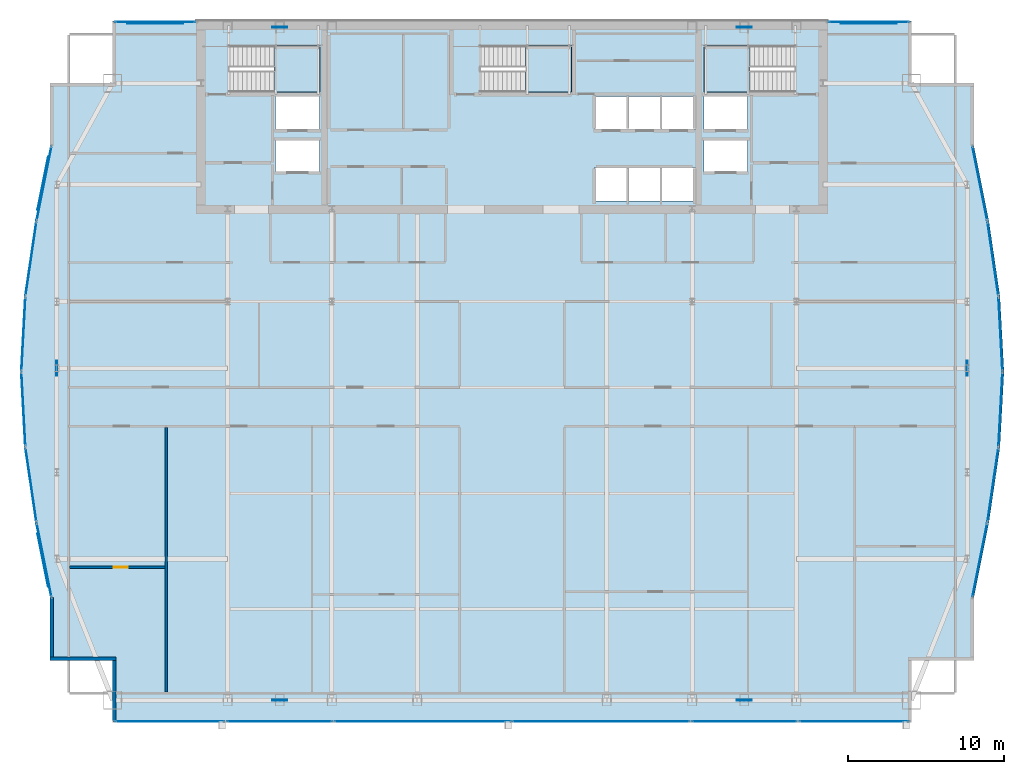
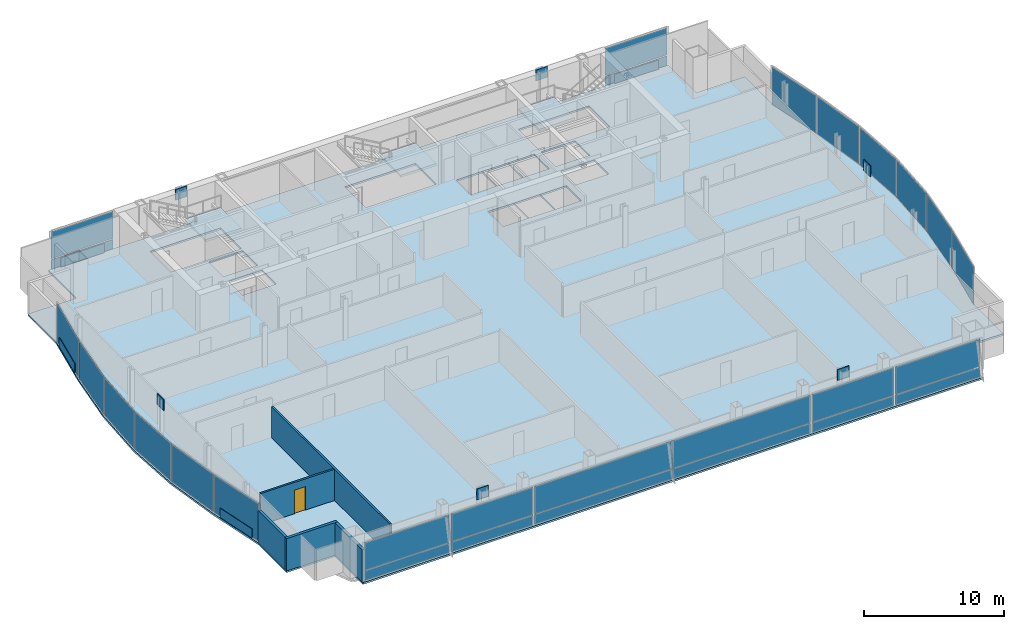
# One storey, part 24 of 30: 38 plates, 5 walls, 4 slabs, 1 door, 1 opening, 22 elements without a shape of their own.
"""IFC4 building model written with IfcOpenShell, lengths in metres."""

import ifcopenshell
import ifcopenshell.guid

model = None  # the IFC model being written
_history = None  # IfcOwnerHistory: only IFC2X3 demands one
_inside = {}  # id of a spatial element -> (the spatial element, [elements in it])
_under = {}  # id of a project, library or spatial element -> (it, [spatial elements below it])
_declared = {}  # id of a project -> (the project, [libraries it declares])
_typed = {}  # id of a type object -> (the type object, [elements of that type])
_made_of = {}  # id of a material, layer set ... -> (it, [elements and type objects made of it])


def new_model(schema):
    """Start an empty IFC model of exactly this schema.

    Asked for "IFC4X3", IfcOpenShell would pick the latest addendum, in which some entities
    have other attributes; the version numbers below select the first issue.
    IFC2X3 requires an IfcOwnerHistory on every rooted entity: one is made here for all.
    """
    global model, _history
    if schema == "IFC4X3":
        model = ifcopenshell.file(schema_version=(4, 3, 0, 0))
    else:
        model = ifcopenshell.file(schema=schema)
    _inside.clear()
    _under.clear()
    _declared.clear()
    _typed.clear()
    _made_of.clear()
    _history = None
    if model.schema == "IFC2X3":
        org = make("IfcOrganization", Name="unknown")
        user = make(
            "IfcPersonAndOrganization",
            ThePerson=make("IfcPerson", FamilyName="unknown"),
            TheOrganization=org,
        )
        app = make(
            "IfcApplication",
            ApplicationDeveloper=org,
            Version="unknown",
            ApplicationFullName="unknown",
            ApplicationIdentifier="unknown",
        )
        _history = make(
            "IfcOwnerHistory",
            OwningUser=user,
            OwningApplication=app,
            ChangeAction="ADDED",
            CreationDate=0,
        )
    return model


def make(cls, **values):
    """One entity of the class cls with the attributes given. An attribute that is None is left unset."""
    return model.create_entity(
        cls, **{name: value for name, value in values.items() if value is not None}
    )


def rooted(cls, **values):
    """An entity with a GlobalId (a new one), such as an element, a storey or a relation."""
    return make(cls, GlobalId=ifcopenshell.guid.new(), OwnerHistory=_history, **values)


def si_unit(unit_type, name, prefix=None):
    """IfcSIUnit, for example si_unit("LENGTHUNIT", "METRE", prefix="MILLI")."""
    return make("IfcSIUnit", UnitType=unit_type, Prefix=prefix, Name=name)


def assignment(units):
    """IfcUnitAssignment: the units of a project."""
    return None if units is None else make("IfcUnitAssignment", Units=units)


def point(xyz):
    """IfcCartesianPoint."""
    return None if xyz is None else make("IfcCartesianPoint", Coordinates=xyz)


def direction(xyz):
    """IfcDirection."""
    return None if xyz is None else make("IfcDirection", DirectionRatios=xyz)


def frame(location, z_axis=None, x_axis=None):
    """IfcAxis2Placement3D, a coordinate frame: its origin and axes. An axis left out is left unset."""
    return make(
        "IfcAxis2Placement3D",
        Location=point(location),
        Axis=direction(z_axis),
        RefDirection=direction(x_axis),
    )


def frame_2d(location, x_axis=None):
    """IfcAxis2Placement2D, a coordinate frame in the plane: its origin and x axis."""
    return make(
        "IfcAxis2Placement2D", Location=point(location), RefDirection=direction(x_axis)
    )


def origin():
    """The frame at (0, 0, 0) with its axes left unset."""
    return frame((0.0, 0.0, 0.0))


def origin_2d():
    """The frame at (0, 0) in the plane with its x axis left unset."""
    return frame_2d((0.0, 0.0))


def place(relative_to, where):
    """IfcLocalPlacement: puts the frame where relative to a parent placement (None: the world)."""
    return make(
        "IfcLocalPlacement", PlacementRelTo=relative_to, RelativePlacement=where
    )


def context(
    kind, dimensions, precision=None, world=None, true_north=None, identifier=None
):
    """IfcGeometricRepresentationContext, for example the 3D "Model" context."""
    return make(
        "IfcGeometricRepresentationContext",
        ContextIdentifier=identifier,
        ContextType=kind,
        CoordinateSpaceDimension=dimensions,
        Precision=precision,
        WorldCoordinateSystem=world,
        TrueNorth=true_north,
    )


def subcontext(parent, identifier, kind, view, scale=None):
    """IfcGeometricRepresentationSubContext, for example "Body" below "Model"."""
    return make(
        "IfcGeometricRepresentationSubContext",
        ContextIdentifier=identifier,
        ContextType=kind,
        ParentContext=parent,
        TargetScale=scale,
        TargetView=view,
    )


def project(units=None, contexts=None):
    """IfcProject with its units and contexts."""
    return rooted(
        "IfcProject",
        Name="project",
        RepresentationContexts=contexts,
        UnitsInContext=assignment(units),
    )


def spatial(cls, under=None, at=None, **own):
    """A site, building, storey or space (cls), placed at a placement, below another one or the project."""
    s = rooted(cls, ObjectPlacement=at, **own)
    if under is not None:
        _under.setdefault(under.id(), (under, []))[1].append(s)
    return s


def polyline(points):
    """IfcPolyline through the points."""
    return make("IfcPolyline", Points=[point(p) for p in points])


def profile(cls, at=None, kind="AREA", **sizes):
    """A parametric profile (cls). Its sizes go by their IFC names, for example OverallWidth=200.0."""
    return make(cls, ProfileType=kind, Position=at, **sizes)


def rectangle(**sizes):
    """IfcRectangleProfileDef."""
    return profile("IfcRectangleProfileDef", **sizes)


def outline(outer, holes=None, kind="AREA"):
    """IfcArbitraryClosedProfileDef: a profile drawn as a closed curve; with holes, ...WithVoids."""
    if holes is None:
        return make("IfcArbitraryClosedProfileDef", ProfileType=kind, OuterCurve=outer)
    return make(
        "IfcArbitraryProfileDefWithVoids",
        ProfileType=kind,
        OuterCurve=outer,
        InnerCurves=holes,
    )


def extrude(swept, where, along, depth):
    """IfcExtrudedAreaSolid: the profile swept, set in the frame where, extruded along a direction by depth."""
    return make(
        "IfcExtrudedAreaSolid",
        SweptArea=swept,
        Position=where,
        ExtrudedDirection=direction(along),
        Depth=depth,
    )


def shape(context_of_items, identifier, shape_type, items):
    """IfcShapeRepresentation: the items that make up one representation, for example the "Body"."""
    return make(
        "IfcShapeRepresentation",
        ContextOfItems=context_of_items,
        RepresentationIdentifier=identifier,
        RepresentationType=shape_type,
        Items=items,
    )


def material(Name=None, Category=None):
    """IfcMaterial."""
    return make("IfcMaterial", Name=Name, Category=Category)


def layer(
    of_material, thickness, ventilated=None, Name=None, Category=None, Priority=None
):
    """IfcMaterialLayer: one layer of a wall or slab, of a material (None: an air gap)."""
    return make(
        "IfcMaterialLayer",
        Material=of_material,
        LayerThickness=thickness,
        IsVentilated=ventilated,
        Name=Name,
        Category=Category,
        Priority=Priority,
    )


def layer_set(layers, Name=None):
    """IfcMaterialLayerSet."""
    return make("IfcMaterialLayerSet", MaterialLayers=layers, LayerSetName=Name)


def made_of(thing, what):
    """Note that an element or type object is made of a material, layer set ...; save() writes the relation."""
    if what is not None:
        _made_of.setdefault(what.id(), (what, []))[1].append(thing)
    return thing


def type_object(cls, material=None, **own):
    """A type object (cls), such as IfcWallType, which elements share."""
    return made_of(rooted(cls, **own), material)


def element(
    cls,
    number,
    at=None,
    inside=None,
    cuts=None,
    type_object=None,
    material=None,
    context=None,
    identifier="Body",
    shape_type=None,
    held_by="IfcProductDefinitionShape",
    body=None,
    shapes=None,
    **own,
):
    """One element of the class cls, such as IfcWall. Its Tag is "e" and its number.

    at: its placement. inside: the storey or other place that contains it. cuts: it is an
    opening in that element (IfcRelVoidsElement). A single representation is given by context,
    identifier, shape_type and body (its items); several are given by shapes. held_by: the class
    of the entity that holds the representations. save() writes the other relations.
    """
    e = rooted(cls, Tag="e%d" % number, ObjectPlacement=at, **own)
    if body is not None:
        shapes = [shape(context, identifier, shape_type, body)]
    if shapes is not None:
        e.Representation = make(held_by, Representations=shapes)
    if inside is not None:
        _inside.setdefault(inside.id(), (inside, []))[1].append(e)
    if cuts is not None:
        rooted(
            "IfcRelVoidsElement", RelatingBuildingElement=cuts, RelatedOpeningElement=e
        )
    if type_object is not None:
        _typed.setdefault(type_object.id(), (type_object, []))[1].append(e)
    return made_of(e, material)


def fill(opening, filler):
    """IfcRelFillsElement: the door or window that sits in an opening."""
    return rooted(
        "IfcRelFillsElement",
        RelatingOpeningElement=opening,
        RelatedBuildingElement=filler,
    )


def aggregate(whole, parts):
    """IfcRelAggregates: a whole, such as a stair, and the parts it consists of."""
    return rooted("IfcRelAggregates", RelatingObject=whole, RelatedObjects=parts)


def save(model, path):
    """Write the relations noted so far, then the file.

    IfcRelAggregates (storeys below a building ...), IfcRelContainedInSpatialStructure (elements
    in a storey), IfcRelDefinesByType, IfcRelAssociatesMaterial and IfcRelDeclares: one each for
    every whole, place, type object, material and project.
    """
    for whole, parts in _under.values():
        aggregate(whole, parts)
    for where, things in _inside.values():
        rooted(
            "IfcRelContainedInSpatialStructure",
            RelatedElements=things,
            RelatingStructure=where,
        )
    for kind, things in _typed.values():
        rooted("IfcRelDefinesByType", RelatedObjects=things, RelatingType=kind)
    for what, things in _made_of.values():
        rooted("IfcRelAssociatesMaterial", RelatedObjects=things, RelatingMaterial=what)
    for by, libraries in _declared.values():
        rooted("IfcRelDeclares", RelatingContext=by, RelatedDefinitions=libraries)
    model.write(path)


model = new_model("IFC4")

# Units and contexts
model_context = context("Model", 3, precision=1e-05, world=origin(), true_north=direction((0.0, 1.0)))
body_context = subcontext(model_context, "Body", "Model", "MODEL_VIEW")
ifc_project = project(units=[si_unit("LENGTHUNIT", "METRE"), si_unit("AREAUNIT", "SQUARE_METRE"), si_unit("VOLUMEUNIT", "CUBIC_METRE"), si_unit("PLANEANGLEUNIT", "RADIAN"), si_unit("MASSUNIT", "GRAM", prefix="KILO")], contexts=[model_context])

# Site, building, storey
site_placement = place(None, origin())
site = spatial("IfcSite", under=ifc_project, at=site_placement, CompositionType="ELEMENT")
building_placement = place(site_placement, origin())
building = spatial("IfcBuilding", under=site, at=building_placement, Name="Khoronbel Lancet Exchange", CompositionType="ELEMENT")
storey_placement = place(building_placement, frame((0.0, 0.0, 206.60009765625)))
storey = spatial("IfcBuildingStorey", under=building, at=storey_placement, Name="L52", CompositionType="ELEMENT", Elevation=206.60009765625)

# Curtain wall, plate
ifc_material_1 = material(Name="Low-E Solar Control Insulating Glass", Category="glass")
curtain_wall_type_1 = type_object("IfcCurtainWallType", Name="CW-4", PredefinedType="NOTDEFINED", material=ifc_material_1)
curtain_wall_1_placement = place(storey_placement, origin())
curtain_wall_1 = element("IfcCurtainWall", 1, at=curtain_wall_1_placement, inside=storey, type_object=curtain_wall_type_1, Name="Unitised curtain wall CW-L52-E04", PredefinedType="NOTDEFINED")
ifc_material_2 = material(Name="Bronze-Anodised Aluminium 6063-T6", Category="aluminium")
ifc_layer_1 = layer(ifc_material_2, 0.050048828125, Name="Bronze-Anodised Aluminium 6063-T6")
ifc_layer_set_1 = layer_set([ifc_layer_1], Name="Bronze-Anodised Aluminium 6063-T6")
plate_type_1 = type_object("IfcPlateType", Name="PLT-CSP1", PredefinedType="SHEET", material=ifc_layer_set_1)
plate_1_placement = place(storey_placement, frame((6.3955078125, 19.116943359375, 0.0498046875), z_axis=(0.0, 0.0, 1.0), x_axis=(-0.196747214001, 0.980454248694, 0.0)))
plate_1 = element("IfcPlate", 2, at=plate_1_placement, type_object=plate_type_1, Name="Insulated bronze spandrel cassette CW-L52-E04", PredefinedType="SHEET", context=body_context, shape_type="SweptSolid", body=[
    extrude(rectangle(XDim=3.455322265625, YDim=0.050048828125, at=origin_2d()), origin(), (0.0, 0.0, 1.0), 0.800048828125),
])

curtain_wall_2_placement = place(storey_placement, origin())
curtain_wall_2 = element("IfcCurtainWall", 3, at=curtain_wall_2_placement, inside=storey, type_object=curtain_wall_type_1, Name="Unitised curtain wall CW-L52-E05", PredefinedType="NOTDEFINED")
plate_2_placement = place(storey_placement, frame((5.6142578125, 23.962158203125, 0.0849609375), z_axis=(0.0, 0.0, 1.0), x_axis=(-0.145362990476, 0.989378391213, 0.0)))
plate_2 = element("IfcPlate", 4, at=plate_2_placement, type_object=plate_type_1, Name="CW4 panel 1.1", PredefinedType="CURTAIN_PANEL", context=body_context, shape_type="SweptSolid", body=[
    extrude(rectangle(XDim=4.728759765625, YDim=0.0380859375, at=origin_2d()), origin(), (0.0, 0.0, 1.0), 3.27001953125),
])
aggregate(curtain_wall_2, [plate_2])

curtain_wall_3_placement = place(storey_placement, origin())
curtain_wall_3 = element("IfcCurtainWall", 5, at=curtain_wall_3_placement, inside=storey, type_object=curtain_wall_type_1, Name="Unitised curtain wall CW-L52-E06", PredefinedType="NOTDEFINED")
plate_3_placement = place(storey_placement, frame((5.1298828125, 28.787841796875, 0.0849609375), z_axis=(0.0, 0.0, 1.0), x_axis=(-0.053691899007, 0.998557549659, 0.0)))
plate_3 = element("IfcPlate", 6, at=plate_3_placement, type_object=plate_type_1, Name="CW4 panel 1.1", PredefinedType="CURTAIN_PANEL", context=body_context, shape_type="SweptSolid", body=[
    extrude(rectangle(XDim=4.68115234375, YDim=0.0380859375, at=origin_2d()), origin(), (0.0, 0.0, 1.0), 3.27001953125),
])
aggregate(curtain_wall_3, [plate_3])

curtain_wall_4_placement = place(storey_placement, origin())
curtain_wall_4 = element("IfcCurtainWall", 7, at=curtain_wall_4_placement, inside=storey, type_object=curtain_wall_type_1, Name="Unitised curtain wall CW-L52-E07", PredefinedType="NOTDEFINED")
plate_4_placement = place(storey_placement, frame((5.1298828125, 33.612060546875, 0.0849609375), z_axis=(0.0, 0.0, 1.0), x_axis=(0.053691899007, 0.998557549659, 0.0)))
plate_4 = element("IfcPlate", 8, at=plate_4_placement, type_object=plate_type_1, Name="CW4 panel 1.1", PredefinedType="CURTAIN_PANEL", context=body_context, shape_type="SweptSolid", body=[
    extrude(rectangle(XDim=4.68115234375, YDim=0.0380859375, at=origin_2d()), origin(), (0.0, 0.0, 1.0), 3.27001953125),
])
aggregate(curtain_wall_4, [plate_4])

curtain_wall_5_placement = place(storey_placement, origin())
curtain_wall_5 = element("IfcCurtainWall", 9, at=curtain_wall_5_placement, inside=storey, type_object=curtain_wall_type_1, Name="Unitised curtain wall CW-L52-E08", PredefinedType="NOTDEFINED")
plate_5_placement = place(storey_placement, frame((5.6142578125, 38.437744140625, 0.0849609375), z_axis=(0.0, 0.0, 1.0), x_axis=(0.145362990476, 0.989378391213, 0.0)))
plate_5 = element("IfcPlate", 10, at=plate_5_placement, type_object=plate_type_1, Name="CW4 panel 1.1", PredefinedType="CURTAIN_PANEL", context=body_context, shape_type="SweptSolid", body=[
    extrude(rectangle(XDim=4.728759765625, YDim=0.0380859375, at=origin_2d()), origin(), (0.0, 0.0, 1.0), 3.27001953125),
])
aggregate(curtain_wall_5, [plate_5])

curtain_wall_6_placement = place(storey_placement, origin())
curtain_wall_6 = element("IfcCurtainWall", 11, at=curtain_wall_6_placement, inside=storey, type_object=curtain_wall_type_1, Name="Unitised curtain wall CW-L52-E09", PredefinedType="NOTDEFINED")
plate_6_placement = place(storey_placement, frame((6.3955078125, 43.282958984375, 0.0498046875), z_axis=(0.0, 0.0, 1.0), x_axis=(0.196747214001, 0.980454248694, 0.0)))
plate_6 = element("IfcPlate", 12, at=plate_6_placement, type_object=plate_type_1, Name="Insulated bronze spandrel cassette CW-L52-E09", PredefinedType="SHEET", context=body_context, shape_type="SweptSolid", body=[
    extrude(rectangle(XDim=3.455322265625, YDim=0.050048828125, at=origin_2d()), origin(), (0.0, 0.0, 1.0), 0.800048828125),
])

curtain_wall_type_2 = type_object("IfcCurtainWallType", Name="CW-3", PredefinedType="NOTDEFINED", material=ifc_material_1)
curtain_wall_7_placement = place(storey_placement, origin())
curtain_wall_7 = element("IfcCurtainWall", 13, at=curtain_wall_7_placement, inside=storey, type_object=curtain_wall_type_2, Name="Unitised curtain wall CW-L52-NWFLK", PredefinedType="NOTDEFINED")
plate_7_placement = place(storey_placement, frame((13.580078125, 53.550048828125, 0.0498046875), z_axis=(0.0, 0.0, 1.0), x_axis=(-1.0, 0.0, 0.0)))
plate_7 = element("IfcPlate", 14, at=plate_7_placement, type_object=plate_type_1, Name="Insulated bronze spandrel cassette CW-L52-NWFLK", PredefinedType="SHEET", context=body_context, shape_type="SweptSolid", body=[
    extrude(rectangle(XDim=3.60009765625, YDim=0.050048828125, at=origin_2d()), origin(), (0.0, 0.0, 1.0), 0.800048828125),
])

curtain_wall_8_placement = place(storey_placement, origin())
curtain_wall_8 = element("IfcCurtainWall", 15, at=curtain_wall_8_placement, inside=storey, type_object=curtain_wall_type_2, Name="Unitised curtain wall CW-L52-NEFLK", PredefinedType="NOTDEFINED")
plate_8_placement = place(storey_placement, frame((59.320068359375, 53.550048828125, 0.0498046875), z_axis=(0.0, 0.0, 1.0), x_axis=(-1.0, 0.0, 0.0)))
plate_8 = element("IfcPlate", 16, at=plate_8_placement, type_object=plate_type_1, Name="Insulated bronze spandrel cassette CW-L52-NEFLK", PredefinedType="SHEET", context=body_context, shape_type="SweptSolid", body=[
    extrude(rectangle(XDim=3.60009765625, YDim=0.050048828125, at=origin_2d()), origin(), (0.0, 0.0, 1.0), 0.800048828125),
])

curtain_wall_9_placement = place(storey_placement, origin())
curtain_wall_9 = element("IfcCurtainWall", 17, at=curtain_wall_9_placement, inside=storey, type_object=curtain_wall_type_1, Name="Unitised curtain wall CW-L52-E18", PredefinedType="NOTDEFINED")
plate_9_placement = place(storey_placement, frame((67.285888671875, 38.437744140625, 0.0849609375), z_axis=(0.0, 0.0, 1.0), x_axis=(0.145362990476, -0.989378391213, 0.0)))
plate_9 = element("IfcPlate", 18, at=plate_9_placement, type_object=plate_type_1, Name="CW4 panel 1.1", PredefinedType="CURTAIN_PANEL", context=body_context, shape_type="SweptSolid", body=[
    extrude(rectangle(XDim=4.728759765625, YDim=0.0380859375, at=origin_2d()), origin(), (0.0, 0.0, 1.0), 3.27001953125),
])
aggregate(curtain_wall_9, [plate_9])

curtain_wall_10_placement = place(storey_placement, origin())
curtain_wall_10 = element("IfcCurtainWall", 19, at=curtain_wall_10_placement, inside=storey, type_object=curtain_wall_type_1, Name="Unitised curtain wall CW-L52-E19", PredefinedType="NOTDEFINED")
plate_10_placement = place(storey_placement, frame((67.77001953125, 33.612060546875, 0.0849609375), z_axis=(0.0, 0.0, 1.0), x_axis=(0.053691899007, -0.998557549659, 0.0)))
plate_10 = element("IfcPlate", 20, at=plate_10_placement, type_object=plate_type_1, Name="CW4 panel 1.1", PredefinedType="CURTAIN_PANEL", context=body_context, shape_type="SweptSolid", body=[
    extrude(rectangle(XDim=4.68115234375, YDim=0.0380859375, at=origin_2d()), origin(), (0.0, 0.0, 1.0), 3.27001953125),
])
aggregate(curtain_wall_10, [plate_10])

curtain_wall_11_placement = place(storey_placement, origin())
curtain_wall_11 = element("IfcCurtainWall", 21, at=curtain_wall_11_placement, inside=storey, type_object=curtain_wall_type_1, Name="Unitised curtain wall CW-L52-E20", PredefinedType="NOTDEFINED")
plate_11_placement = place(storey_placement, frame((67.77001953125, 28.787841796875, 0.0849609375), z_axis=(0.0, 0.0, 1.0), x_axis=(-0.053691899007, -0.998557549659, 0.0)))
plate_11 = element("IfcPlate", 22, at=plate_11_placement, type_object=plate_type_1, Name="CW4 panel 1.1", PredefinedType="CURTAIN_PANEL", context=body_context, shape_type="SweptSolid", body=[
    extrude(rectangle(XDim=4.68115234375, YDim=0.0380859375, at=origin_2d()), origin(), (0.0, 0.0, 1.0), 3.27001953125),
])
aggregate(curtain_wall_11, [plate_11])

curtain_wall_12_placement = place(storey_placement, origin())
curtain_wall_12 = element("IfcCurtainWall", 23, at=curtain_wall_12_placement, inside=storey, type_object=curtain_wall_type_1, Name="Unitised curtain wall CW-L52-E21", PredefinedType="NOTDEFINED")
plate_12_placement = place(storey_placement, frame((67.285888671875, 23.962158203125, 0.0849609375), z_axis=(0.0, 0.0, 1.0), x_axis=(-0.145362990476, -0.989378391213, 0.0)))
plate_12 = element("IfcPlate", 24, at=plate_12_placement, type_object=plate_type_1, Name="CW4 panel 1.1", PredefinedType="CURTAIN_PANEL", context=body_context, shape_type="SweptSolid", body=[
    extrude(rectangle(XDim=4.728759765625, YDim=0.0380859375, at=origin_2d()), origin(), (0.0, 0.0, 1.0), 3.27001953125),
])
aggregate(curtain_wall_12, [plate_12])

# Curtain wall, plates
curtain_wall_13_placement = place(storey_placement, origin())
curtain_wall_13 = element("IfcCurtainWall", 25, at=curtain_wall_13_placement, inside=storey, type_object=curtain_wall_type_2, Name="Unitised curtain wall CW-L52-SWB", PredefinedType="NOTDEFINED")
plate_13_placement = place(storey_placement, frame((21.550048828125, 8.7900390625, 0.0849609375), z_axis=(0.0, 0.0, 1.0), x_axis=(1.0, 0.0, 0.0)))
plate_13 = element("IfcPlate", 26, at=plate_13_placement, type_object=plate_type_1, Name="CW3 panel 1.1", PredefinedType="CURTAIN_PANEL", context=body_context, shape_type="SweptSolid", body=[
    extrude(rectangle(XDim=6.72998046875, YDim=0.0380859375, at=origin_2d()), origin(), (0.0, 0.0, 1.0), 0.822509765625),
])
plate_14_placement = place(storey_placement, frame((21.550048828125, 8.7900390625, 0.9921875), z_axis=(0.0, 0.0, 1.0), x_axis=(1.0, 0.0, 0.0)))
plate_14 = element("IfcPlate", 27, at=plate_14_placement, type_object=plate_type_1, Name="CW3 panel 1.2", PredefinedType="CURTAIN_PANEL", context=body_context, shape_type="SweptSolid", body=[
    extrude(rectangle(XDim=6.72998046875, YDim=0.0380859375, at=origin_2d()), origin(), (0.0, 0.0, 1.0), 2.362548828125),
])
aggregate(curtain_wall_13, [plate_13, plate_14])

curtain_wall_14_placement = place(storey_placement, origin())
curtain_wall_14 = element("IfcCurtainWall", 28, at=curtain_wall_14_placement, inside=storey, type_object=curtain_wall_type_2, Name="Unitised curtain wall CW-L52-SEB", PredefinedType="NOTDEFINED")
plate_15_placement = place(storey_placement, frame((51.35009765625, 8.7900390625, 0.0849609375), z_axis=(0.0, 0.0, 1.0), x_axis=(1.0, 0.0, 0.0)))
plate_15 = element("IfcPlate", 29, at=plate_15_placement, type_object=plate_type_1, Name="CW3 panel 1.1", PredefinedType="CURTAIN_PANEL", context=body_context, shape_type="SweptSolid", body=[
    extrude(rectangle(XDim=6.72998046875, YDim=0.0380859375, at=origin_2d()), origin(), (0.0, 0.0, 1.0), 0.822509765625),
])
plate_16_placement = place(storey_placement, frame((51.35009765625, 8.7900390625, 0.9921875), z_axis=(0.0, 0.0, 1.0), x_axis=(1.0, 0.0, 0.0)))
plate_16 = element("IfcPlate", 30, at=plate_16_placement, type_object=plate_type_1, Name="CW3 panel 1.2", PredefinedType="CURTAIN_PANEL", context=body_context, shape_type="SweptSolid", body=[
    extrude(rectangle(XDim=6.72998046875, YDim=0.0380859375, at=origin_2d()), origin(), (0.0, 0.0, 1.0), 2.362548828125),
])
aggregate(curtain_wall_14, [plate_15, plate_16])

# Plate
ifc_layer_2 = layer(ifc_material_1, 0.035888671875, Name="Low-E Solar Control Insulating Glass")
ifc_layer_set_2 = layer_set([ifc_layer_2], Name="Low-E Solar Control Insulating Glass")
plate_type_2 = type_object("IfcPlateType", Name="PLT-CWP1", PredefinedType="CURTAIN_PANEL", material=ifc_layer_set_2)
plate_17_placement = place(storey_placement, frame((13.580078125, 53.610107421875, 0.0849609375), z_axis=(0.0, 0.0, 1.0), x_axis=(-1.0, 0.0, 0.0)))
plate_17 = element("IfcPlate", 31, at=plate_17_placement, type_object=plate_type_2, Name="CW3 panel 1.1", PredefinedType="CURTAIN_PANEL", context=body_context, shape_type="SweptSolid", body=[
    extrude(rectangle(XDim=5.110107421875, YDim=0.0380859375, at=origin_2d()), origin(), (0.0, 0.0, 1.0), 0.822509765625),
])

plate_18_placement = place(storey_placement, frame((13.580078125, 53.610107421875, 0.9921875), z_axis=(0.0, 0.0, 1.0), x_axis=(-1.0, 0.0, 0.0)))
plate_18 = element("IfcPlate", 32, at=plate_18_placement, type_object=plate_type_2, Name="CW3 panel 1.2", PredefinedType="CURTAIN_PANEL", context=body_context, shape_type="SweptSolid", body=[
    extrude(rectangle(XDim=5.110107421875, YDim=0.0380859375, at=origin_2d()), origin(), (0.0, 0.0, 1.0), 2.362548828125),
])

aggregate(curtain_wall_7, [plate_17, plate_18, plate_7])

plate_19_placement = place(storey_placement, frame((59.320068359375, 53.610107421875, 0.0849609375), z_axis=(0.0, 0.0, 1.0), x_axis=(-1.0, 0.0, 0.0)))
plate_19 = element("IfcPlate", 33, at=plate_19_placement, type_object=plate_type_2, Name="CW3 panel 1.1", PredefinedType="CURTAIN_PANEL", context=body_context, shape_type="SweptSolid", body=[
    extrude(rectangle(XDim=5.110107421875, YDim=0.0380859375, at=origin_2d()), origin(), (0.0, 0.0, 1.0), 0.822509765625),
])

plate_20_placement = place(storey_placement, frame((59.320068359375, 53.610107421875, 0.9921875), z_axis=(0.0, 0.0, 1.0), x_axis=(-1.0, 0.0, 0.0)))
plate_20 = element("IfcPlate", 34, at=plate_20_placement, type_object=plate_type_2, Name="CW3 panel 1.2", PredefinedType="CURTAIN_PANEL", context=body_context, shape_type="SweptSolid", body=[
    extrude(rectangle(XDim=5.110107421875, YDim=0.0380859375, at=origin_2d()), origin(), (0.0, 0.0, 1.0), 2.362548828125),
])

aggregate(curtain_wall_8, [plate_19, plate_20, plate_8])

# Curtain wall, plates
curtain_wall_15_placement = place(storey_placement, origin())
curtain_wall_15 = element("IfcCurtainWall", 35, at=curtain_wall_15_placement, inside=storey, type_object=curtain_wall_type_2, Name="Unitised curtain wall CW-L52-SWV", PredefinedType="NOTDEFINED")
plate_21_placement = place(storey_placement, frame((14.52001953125, 8.7900390625, 0.0849609375), z_axis=(0.0, 0.0, 1.0), x_axis=(1.0, 0.0, 0.0)))
plate_21 = element("IfcPlate", 36, at=plate_21_placement, type_object=plate_type_2, Name="CW3 panel 1.1", PredefinedType="CURTAIN_PANEL", context=body_context, shape_type="SweptSolid", body=[
    extrude(rectangle(XDim=6.989990234375, YDim=0.0380859375, at=origin_2d()), origin(), (0.0, 0.0, 1.0), 0.822509765625),
])
plate_22_placement = place(storey_placement, frame((14.52001953125, 8.7900390625, 0.9921875), z_axis=(0.0, 0.0, 1.0), x_axis=(1.0, 0.0, 0.0)))
plate_22 = element("IfcPlate", 37, at=plate_22_placement, type_object=plate_type_2, Name="CW3 panel 1.2", PredefinedType="CURTAIN_PANEL", context=body_context, shape_type="SweptSolid", body=[
    extrude(rectangle(XDim=6.989990234375, YDim=0.0380859375, at=origin_2d()), origin(), (0.0, 0.0, 1.0), 2.362548828125),
])
aggregate(curtain_wall_15, [plate_21, plate_22])

curtain_wall_16_placement = place(storey_placement, origin())
curtain_wall_16 = element("IfcCurtainWall", 38, at=curtain_wall_16_placement, inside=storey, type_object=curtain_wall_type_2, Name="Unitised curtain wall CW-L52-SCV", PredefinedType="NOTDEFINED")
plate_23_placement = place(storey_placement, frame((30.746337890625, 8.7900390625, 0.0849609375), z_axis=(0.0, 0.0, 1.0), x_axis=(1.0, 0.0, 0.0)))
plate_23 = element("IfcPlate", 39, at=plate_23_placement, type_object=plate_type_2, Name="CW3 panel 1.1", PredefinedType="CURTAIN_PANEL", context=body_context, shape_type="SweptSolid", body=[
    extrude(rectangle(XDim=11.322509765625, YDim=0.0380859375, at=origin_2d()), origin(), (0.0, 0.0, 1.0), 0.822509765625),
])
plate_24_placement = place(storey_placement, frame((30.746337890625, 8.7900390625, 0.9921875), z_axis=(0.0, 0.0, 1.0), x_axis=(1.0, 0.0, 0.0)))
plate_24 = element("IfcPlate", 40, at=plate_24_placement, type_object=plate_type_2, Name="CW3 panel 1.2", PredefinedType="CURTAIN_PANEL", context=body_context, shape_type="SweptSolid", body=[
    extrude(rectangle(XDim=11.322509765625, YDim=0.0380859375, at=origin_2d()), origin(), (0.0, 0.0, 1.0), 2.362548828125),
])
plate_25_placement = place(storey_placement, frame((42.15380859375, 8.7900390625, 0.0849609375), z_axis=(0.0, 0.0, 1.0), x_axis=(1.0, 0.0, 0.0)))
plate_25 = element("IfcPlate", 41, at=plate_25_placement, type_object=plate_type_2, Name="CW3 panel 2.1", PredefinedType="CURTAIN_PANEL", context=body_context, shape_type="SweptSolid", body=[
    extrude(rectangle(XDim=11.322509765625, YDim=0.0380859375, at=origin_2d()), origin(), (0.0, 0.0, 1.0), 0.822509765625),
])
plate_26_placement = place(storey_placement, frame((42.15380859375, 8.7900390625, 0.9921875), z_axis=(0.0, 0.0, 1.0), x_axis=(1.0, 0.0, 0.0)))
plate_26 = element("IfcPlate", 42, at=plate_26_placement, type_object=plate_type_2, Name="CW3 panel 2.2", PredefinedType="CURTAIN_PANEL", context=body_context, shape_type="SweptSolid", body=[
    extrude(rectangle(XDim=11.322509765625, YDim=0.0380859375, at=origin_2d()), origin(), (0.0, 0.0, 1.0), 2.362548828125),
])
aggregate(curtain_wall_16, [plate_23, plate_24, plate_25, plate_26])

curtain_wall_17_placement = place(storey_placement, origin())
curtain_wall_17 = element("IfcCurtainWall", 43, at=curtain_wall_17_placement, inside=storey, type_object=curtain_wall_type_2, Name="Unitised curtain wall CW-L52-SEV", PredefinedType="NOTDEFINED")
plate_27_placement = place(storey_placement, frame((58.3798828125, 8.7900390625, 0.0849609375), z_axis=(0.0, 0.0, 1.0), x_axis=(1.0, 0.0, 0.0)))
plate_27 = element("IfcPlate", 44, at=plate_27_placement, type_object=plate_type_2, Name="CW3 panel 1.1", PredefinedType="CURTAIN_PANEL", context=body_context, shape_type="SweptSolid", body=[
    extrude(rectangle(XDim=6.989990234375, YDim=0.0380859375, at=origin_2d()), origin(), (0.0, 0.0, 1.0), 0.822509765625),
])
plate_28_placement = place(storey_placement, frame((58.3798828125, 8.7900390625, 0.9921875), z_axis=(0.0, 0.0, 1.0), x_axis=(1.0, 0.0, 0.0)))
plate_28 = element("IfcPlate", 45, at=plate_28_placement, type_object=plate_type_2, Name="CW3 panel 1.2", PredefinedType="CURTAIN_PANEL", context=body_context, shape_type="SweptSolid", body=[
    extrude(rectangle(XDim=6.989990234375, YDim=0.0380859375, at=origin_2d()), origin(), (0.0, 0.0, 1.0), 2.362548828125),
])
aggregate(curtain_wall_17, [plate_27, plate_28])

# Plate
ifc_material_3 = material(Name="Ceramic-Fritted Laminated Insulating Glass", Category="glass")
ifc_layer_3 = layer(ifc_material_3, 0.0419921875, Name="Ceramic-Fritted Laminated Insulating Glass")
ifc_layer_set_3 = layer_set([ifc_layer_3], Name="Ceramic-Fritted Laminated Insulating Glass")
plate_type_3 = type_object("IfcPlateType", Name="PLT-CWP2", PredefinedType="CURTAIN_PANEL", material=ifc_layer_set_3)
plate_29_placement = place(storey_placement, frame((6.454345703125, 19.12890625, 0.0849609375), z_axis=(0.0, 0.0, 1.0), x_axis=(-0.196747214001, 0.980454248694, 0.0)))
plate_29 = element("IfcPlate", 46, at=plate_29_placement, type_object=plate_type_3, Name="CW4 panel 1.1", PredefinedType="CURTAIN_PANEL", context=body_context, shape_type="SweptSolid", body=[
    extrude(rectangle(XDim=4.786376953125, YDim=0.0380859375, at=origin_2d()), origin(), (0.0, 0.0, 1.0), 3.27001953125),
])

aggregate(curtain_wall_1, [plate_29, plate_1])

plate_30_placement = place(storey_placement, frame((6.454345703125, 43.271240234375, 0.0849609375), z_axis=(0.0, 0.0, 1.0), x_axis=(0.196747214001, 0.980454248694, 0.0)))
plate_30 = element("IfcPlate", 47, at=plate_30_placement, type_object=plate_type_3, Name="CW4 panel 1.1", PredefinedType="CURTAIN_PANEL", context=body_context, shape_type="SweptSolid", body=[
    extrude(rectangle(XDim=4.786376953125, YDim=0.0380859375, at=origin_2d()), origin(), (0.0, 0.0, 1.0), 3.27001953125),
])

aggregate(curtain_wall_6, [plate_30, plate_6])

# Curtain wall, plate
curtain_wall_18_placement = place(storey_placement, origin())
curtain_wall_18 = element("IfcCurtainWall", 48, at=curtain_wall_18_placement, inside=storey, type_object=curtain_wall_type_1, Name="Unitised curtain wall CW-L52-E17", PredefinedType="NOTDEFINED")
plate_31_placement = place(storey_placement, frame((66.445556640625, 43.271240234375, 0.0849609375), z_axis=(0.0, 0.0, 1.0), x_axis=(0.196747214001, -0.980454248694, 0.0)))
plate_31 = element("IfcPlate", 49, at=plate_31_placement, type_object=plate_type_3, Name="CW4 panel 1.1", PredefinedType="CURTAIN_PANEL", context=body_context, shape_type="SweptSolid", body=[
    extrude(rectangle(XDim=4.786376953125, YDim=0.0380859375, at=origin_2d()), origin(), (0.0, 0.0, 1.0), 3.27001953125),
])
aggregate(curtain_wall_18, [plate_31])

curtain_wall_19_placement = place(storey_placement, origin())
curtain_wall_19 = element("IfcCurtainWall", 50, at=curtain_wall_19_placement, inside=storey, type_object=curtain_wall_type_1, Name="Unitised curtain wall CW-L52-E22", PredefinedType="NOTDEFINED")
plate_32_placement = place(storey_placement, frame((66.445556640625, 19.12890625, 0.0849609375), z_axis=(0.0, 0.0, 1.0), x_axis=(-0.196747214001, -0.980454248694, 0.0)))
plate_32 = element("IfcPlate", 51, at=plate_32_placement, type_object=plate_type_3, Name="CW4 panel 1.1", PredefinedType="CURTAIN_PANEL", context=body_context, shape_type="SweptSolid", body=[
    extrude(rectangle(XDim=4.786376953125, YDim=0.0380859375, at=origin_2d()), origin(), (0.0, 0.0, 1.0), 3.27001953125),
])
aggregate(curtain_wall_19, [plate_32])

# Plates
ifc_material_4 = material(Name="Steel S460", Category="steel")
ifc_layer_4 = layer(ifc_material_4, 0.06005859375, Name="Steel S460")
ifc_layer_set_4 = layer_set([ifc_layer_4], Name="Steel S460")
plate_type_4 = type_object("IfcPlateType", Name="PLT-ND2", PredefinedType="USERDEFINED", material=ifc_layer_set_4)
for number, where, z_axis, x_axis, name in (
    (52, (21.5625, 10.14990234375, 2.77490234375), (0.0, 0.0, 1.0), (1.0, 0.0, 0.0), "ND2 perimeter brace node gusset T17-S-W"),
    (53, (51.33740234375, 10.14990234375, 2.77490234375), (0.0, 0.0, 1.0), (1.0, 0.0, 0.0), "ND2 perimeter brace node gusset T17-S-E"),
    (54, (21.5625, 53.280029296875, 2.77490234375), (0.0, 0.0, 1.0), (1.0, 0.0, 0.0), "ND2 perimeter brace node gusset T17-N-W"),
    (55, (51.33740234375, 53.280029296875, 2.77490234375), (0.0, 0.0, 1.0), (1.0, 0.0, 0.0), "ND2 perimeter brace node gusset T17-N-E"),
    (56, (7.27001953125, 31.425048828125, 2.77490234375), (0.0, 0.0, 1.0), (0.0, 1.0, 0.0), "ND2 perimeter brace node gusset T17-W-P"),
    (57, (65.6298828125, 31.425048828125, 2.77490234375), (0.0, 0.0, 1.0), (0.0, 1.0, 0.0), "ND2 perimeter brace node gusset T17-E-P"),
):
    element("IfcPlate", number, at=place(storey_placement, frame(where, z_axis=z_axis, x_axis=x_axis)), inside=storey, type_object=plate_type_4, Name=name, ObjectType="GUSSET_PLATE", PredefinedType="USERDEFINED", context=body_context, shape_type="SweptSolid", body=[
        extrude(rectangle(XDim=0.949951171875, YDim=0.06005859375, at=origin_2d()), origin(), (0.0, 0.0, 1.0), 0.949951171875),
    ])

# Slab
ifc_material_5 = material(Name="Concrete C40/50", Category="concrete")
ifc_layer_5 = layer(ifc_material_5, 0.159912109375, Name="Concrete C40/50")
ifc_layer_set_5 = layer_set([ifc_layer_5], Name="Concrete C40/50")
slab_type_1 = type_object("IfcSlabType", Name="SL-FL160", PredefinedType="FLOOR", material=ifc_layer_set_5)
slab_1_placement = place(storey_placement, frame((0.0, 0.0, -0.16015625)))
element("IfcSlab", 58, at=slab_1_placement, inside=storey, type_object=slab_type_1, Name="Level L52 composite structural floor slab", PredefinedType="FLOOR", context=body_context, shape_type="SweptSolid", body=[
    extrude(outline(polyline([(10.85009765625, 8.699951171875), (62.050048828125, 8.699951171875), (62.050048828125, 12.699951171875), (66.050048828125, 12.699951171875), (66.050048828125, 16.699951171875), (67.02001953125, 21.533203125), (67.72998046875, 26.36669921875), (67.989990234375, 31.199951171875), (67.72998046875, 36.033203125), (67.02001953125, 40.86669921875), (66.050048828125, 45.699951171875), (66.050048828125, 49.699951171875), (62.050048828125, 49.699951171875), (62.050048828125, 53.699951171875), (10.85009765625, 53.699951171875), (10.85009765625, 49.699951171875), (6.85009765625, 49.699951171875), (6.85009765625, 45.699951171875), (5.880126953125, 40.86669921875), (5.169921875, 36.033203125), (4.91015625, 31.199951171875), (5.169921875, 26.36669921875), (5.880126953125, 21.533203125), (6.85009765625, 16.699951171875), (6.85009765625, 12.699951171875), (10.85009765625, 12.699951171875), (10.85009765625, 8.699951171875)]), holes=[polyline([(18.324951171875, 49.1201171875), (24.14990234375, 49.1201171875), (24.14990234375, 52.10009765625), (18.324951171875, 52.10009765625), (18.324951171875, 49.1201171875)]), polyline([(48.75, 49.1201171875), (54.574951171875, 49.1201171875), (54.574951171875, 52.10009765625), (48.75, 52.10009765625), (48.75, 49.1201171875)]), polyline([(34.425048828125, 49.1201171875), (40.25, 49.1201171875), (40.25, 52.10009765625), (34.425048828125, 52.10009765625), (34.425048828125, 49.1201171875)]), polyline([(41.739990234375, 46.75), (43.8798828125, 46.75), (43.8798828125, 48.85009765625), (41.739990234375, 48.85009765625), (41.739990234375, 46.75)]), polyline([(43.89990234375, 46.75), (46.0400390625, 46.75), (46.0400390625, 48.85009765625), (43.89990234375, 48.85009765625), (43.89990234375, 46.75)]), polyline([(46.06005859375, 46.75), (48.199951171875, 46.75), (48.199951171875, 48.85009765625), (46.06005859375, 48.85009765625), (46.06005859375, 46.75)]), polyline([(41.739990234375, 42.14990234375), (43.8798828125, 42.14990234375), (43.8798828125, 44.300048828125), (41.739990234375, 44.300048828125), (41.739990234375, 42.14990234375)]), polyline([(43.89990234375, 42.14990234375), (46.0400390625, 42.14990234375), (46.0400390625, 44.300048828125), (43.89990234375, 44.300048828125), (43.89990234375, 42.14990234375)]), polyline([(46.06005859375, 42.14990234375), (48.199951171875, 42.14990234375), (48.199951171875, 44.300048828125), (46.06005859375, 44.300048828125), (46.06005859375, 42.14990234375)]), polyline([(21.300048828125, 46.75), (24.10009765625, 46.75), (24.10009765625, 48.85009765625), (21.300048828125, 48.85009765625), (21.300048828125, 46.75)]), polyline([(48.75, 46.75), (51.550048828125, 46.75), (51.550048828125, 48.85009765625), (48.75, 48.85009765625), (48.75, 46.75)]), polyline([(21.300048828125, 44.050048828125), (24.10009765625, 44.050048828125), (24.10009765625, 46.050048828125), (21.300048828125, 46.050048828125), (21.300048828125, 44.050048828125)]), polyline([(48.75, 44.050048828125), (51.550048828125, 44.050048828125), (51.550048828125, 46.050048828125), (48.75, 46.050048828125), (48.75, 44.050048828125)])]), origin(), (0.0, 0.0, 1.0), 0.16015625),
])

# Stair, slab
stair_type = type_object("IfcStairType", Name="STR-CORE150", PredefinedType="HALF_TURN_STAIR", material=ifc_material_5)
stair_1_placement = place(storey_placement, origin())
stair_1 = element("IfcStair", 59, at=stair_1_placement, inside=storey, type_object=stair_type, Name="L52 Protected Exit Stair ST1", PredefinedType="HALF_TURN_STAIR")
ifc_layer_6 = layer(ifc_material_5, 0.199951171875, Name="Concrete C40/50")
ifc_layer_set_6 = layer_set([ifc_layer_6], Name="Concrete C40/50")
slab_type_2 = type_object("IfcSlabType", Name="SL-LND180", PredefinedType="LANDING", material=ifc_layer_set_6)
slab_2_placement = place(storey_placement, frame((0.0, 0.0, 1.599853515625)))
slab_2 = element("IfcSlab", 60, at=slab_2_placement, type_object=slab_type_2, Name="ST1 landing 1", PredefinedType="LANDING", context=body_context, shape_type="SweptSolid", body=[
    extrude(outline(polyline([(21.199951171875, 49.1201171875), (24.14990234375, 49.1201171875), (24.14990234375, 52.10009765625), (21.199951171875, 52.10009765625), (21.199951171875, 49.1201171875)])), origin(), (0.0, 0.0, 1.0), 0.199951171875),
])
aggregate(stair_1, [slab_2])

stair_2_placement = place(storey_placement, origin())
stair_2 = element("IfcStair", 61, at=stair_2_placement, inside=storey, type_object=stair_type, Name="L52 Protected Exit Stair ST2", PredefinedType="HALF_TURN_STAIR")
slab_3_placement = place(storey_placement, frame((0.0, 0.0, 1.599853515625)))
slab_3 = element("IfcSlab", 62, at=slab_3_placement, type_object=slab_type_2, Name="ST2 landing 1", PredefinedType="LANDING", context=body_context, shape_type="SweptSolid", body=[
    extrude(outline(polyline([(51.699951171875, 52.10009765625), (48.75, 52.10009765625), (48.75, 49.1201171875), (51.699951171875, 49.1201171875), (51.699951171875, 52.10009765625)])), origin(), (0.0, 0.0, 1.0), 0.199951171875),
])
aggregate(stair_2, [slab_3])

stair_3_placement = place(storey_placement, origin())
stair_3 = element("IfcStair", 63, at=stair_3_placement, inside=storey, type_object=stair_type, Name="L52 Protected Exit Stair ST3", PredefinedType="HALF_TURN_STAIR")
slab_4_placement = place(storey_placement, frame((0.0, 0.0, 1.599853515625)))
slab_4 = element("IfcSlab", 64, at=slab_4_placement, type_object=slab_type_2, Name="ST3 landing 1", PredefinedType="LANDING", context=body_context, shape_type="SweptSolid", body=[
    extrude(outline(polyline([(37.300048828125, 49.1201171875), (40.25, 49.1201171875), (40.25, 52.10009765625), (37.300048828125, 52.10009765625), (37.300048828125, 49.1201171875)])), origin(), (0.0, 0.0, 1.0), 0.199951171875),
])
aggregate(stair_3, [slab_4])

# Walls
ifc_material_6 = material(Name="Precast concrete C40/50", Category="concrete")
ifc_layer_7 = layer(ifc_material_6, 0.25, Name="Precast concrete C40/50")
ifc_layer_set_7 = layer_set([ifc_layer_7], Name="Precast concrete C40/50")
wall_type_1 = type_object("IfcWallType", Name="WL-EXT250", PredefinedType="SOLIDWALL", material=ifc_layer_set_7)
wall_1_placement = place(storey_placement, frame((10.93994140625, 8.77001953125, 0.0), z_axis=(0.0, 0.0, 1.0), x_axis=(0.0, 1.0, 0.0)))
element("IfcWall", 65, at=wall_1_placement, inside=storey, type_object=wall_type_1, Name="Level L52 notched-corner limestone pier 01", PredefinedType="SOLIDWALL", context=body_context, shape_type="SweptSolid", body=[
    extrude(rectangle(XDim=3.909912109375, YDim=0.219970703125, at=frame_2d((1.955078125, 0.0))), origin(), (0.0, 0.0, 1.0), 2.829833984375),
])
wall_2_placement = place(storey_placement, frame((11.050048828125, 12.7900390625, 0.0), z_axis=(0.0, 0.0, 1.0), x_axis=(-1.0, 0.0, 0.0)))
element("IfcWall", 66, at=wall_2_placement, inside=storey, type_object=wall_type_1, Name="Level L52 notched-corner limestone pier 02", PredefinedType="SOLIDWALL", context=body_context, shape_type="SweptSolid", body=[
    extrude(rectangle(XDim=4.219970703125, YDim=0.219970703125, at=frame_2d((2.10986328125, 0.0))), origin(), (0.0, 0.0, 1.0), 2.829833984375),
])
wall_3_placement = place(storey_placement, frame((6.93994140625, 12.89990234375, 0.0), z_axis=(0.0, 0.0, 1.0), x_axis=(0.0, 1.0, 0.0)))
element("IfcWall", 67, at=wall_3_placement, inside=storey, type_object=wall_type_1, Name="Level L52 notched-corner limestone pier 03", PredefinedType="SOLIDWALL", context=body_context, shape_type="SweptSolid", body=[
    extrude(rectangle(XDim=3.8291015625, YDim=0.219970703125, at=frame_2d((1.91455078125, 0.0))), origin(), (0.0, 0.0, 1.0), 2.829833984375),
])

# Wall, opening, door
ifc_material_7 = material(Name="Acoustic Metal-Stud & Mineral-Wool Gypsum Partition 120 mm", Category="gypsum")
ifc_layer_8 = layer(ifc_material_7, 0.1201171875, Name="Acoustic Metal-Stud & Mineral-Wool Gypsum Partition 120 mm")
ifc_layer_set_8 = layer_set([ifc_layer_8], Name="Acoustic Metal-Stud & Mineral-Wool Gypsum Partition 120 mm")
wall_type_2 = type_object("IfcWallType", Name="WL-PRT120", PredefinedType="PARTITIONING", material=ifc_layer_set_8)
wall_4_placement = place(storey_placement, frame((8.094970703125, 18.666015625, 0.0), z_axis=(0.0, 0.0, 1.0), x_axis=(1.0, 0.0, 0.0)))
wall_4 = element("IfcWall", 68, at=wall_4_placement, inside=storey, type_object=wall_type_2, Name="Level L52 interior partition PW-Z3SW-H1", PredefinedType="PARTITIONING", context=body_context, shape_type="SweptSolid", body=[
    extrude(rectangle(XDim=6.10693359375, YDim=0.14990234375, at=frame_2d((3.053466796875, 0.0))), origin(), (0.0, 0.0, 1.0), 2.72998046875),
])
opening_placement = place(wall_4_placement, frame((2.8134765625, 0.0, 0.0)))
opening = element("IfcOpeningElement", 69, at=opening_placement, cuts=wall_4, Name="Opening D5", PredefinedType="OPENING", context=body_context, shape_type="SweptSolid", body=[
    extrude(rectangle(XDim=0.89990234375, YDim=2.050048828125, at=frame_2d((0.449951171875, 1.02490234375))), frame((0.0, 0.0849609375, 0.0), z_axis=(0.0, -1.0, 0.0), x_axis=(1.0, 0.0, 0.0)), (0.0, 0.0, 1.0), 0.169921875),
])
ifc_material_8 = material(Name="Acoustic Timber Pantry & Support Door", Category="wood")
door_type = type_object("IfcDoorType", Name="DR-D5", OperationType="NOTDEFINED", PredefinedType="DOOR", material=ifc_material_8)
door_placement = place(opening_placement, origin())
door = element("IfcDoor", 70, at=door_placement, inside=storey, type_object=door_type, Name="Z3SW inner door 1 L52-1", OperationType="SINGLE_SWING_LEFT", OverallHeight=2.050048828125, OverallWidth=0.89990234375, PredefinedType="DOOR", context=body_context, shape_type="SweptSolid", body=[
    extrude(rectangle(XDim=0.89990234375, YDim=2.050048828125, at=frame_2d((0.449951171875, 1.02490234375))), frame((0.0, 0.02490234375, 0.0), z_axis=(0.0, -1.0, 0.0), x_axis=(1.0, 0.0, 0.0)), (0.0, 0.0, 1.0), 0.050048828125),
])
fill(opening, door)

# Wall
ifc_material_9 = material(Name="Fire-Rated Twin-Stud Acoustic Gypsum Partition 150 mm", Category="gypsum")
ifc_layer_9 = layer(ifc_material_9, 0.14990234375, Name="Fire-Rated Twin-Stud Acoustic Gypsum Partition 150 mm")
ifc_layer_set_9 = layer_set([ifc_layer_9], Name="Fire-Rated Twin-Stud Acoustic Gypsum Partition 150 mm")
wall_type_3 = type_object("IfcWallType", Name="WL-PRT150C", PredefinedType="PARTITIONING", material=ifc_layer_set_9)
wall_5_placement = place(storey_placement, frame((14.281982421875, 10.6650390625, 0.0), z_axis=(0.0, 0.0, 1.0), x_axis=(0.0, 1.0, 0.0)))
element("IfcWall", 71, at=wall_5_placement, inside=storey, type_object=wall_type_3, Name="Level L52 interior partition PW-Z3SW-V1", PredefinedType="PARTITIONING", context=body_context, shape_type="SweptSolid", body=[
    extrude(rectangle(XDim=16.949951171875, YDim=0.14990234375, at=frame_2d((8.47509765625, 0.0))), origin(), (0.0, 0.0, 1.0), 2.72998046875),
])

save(model, "model.ifc")
